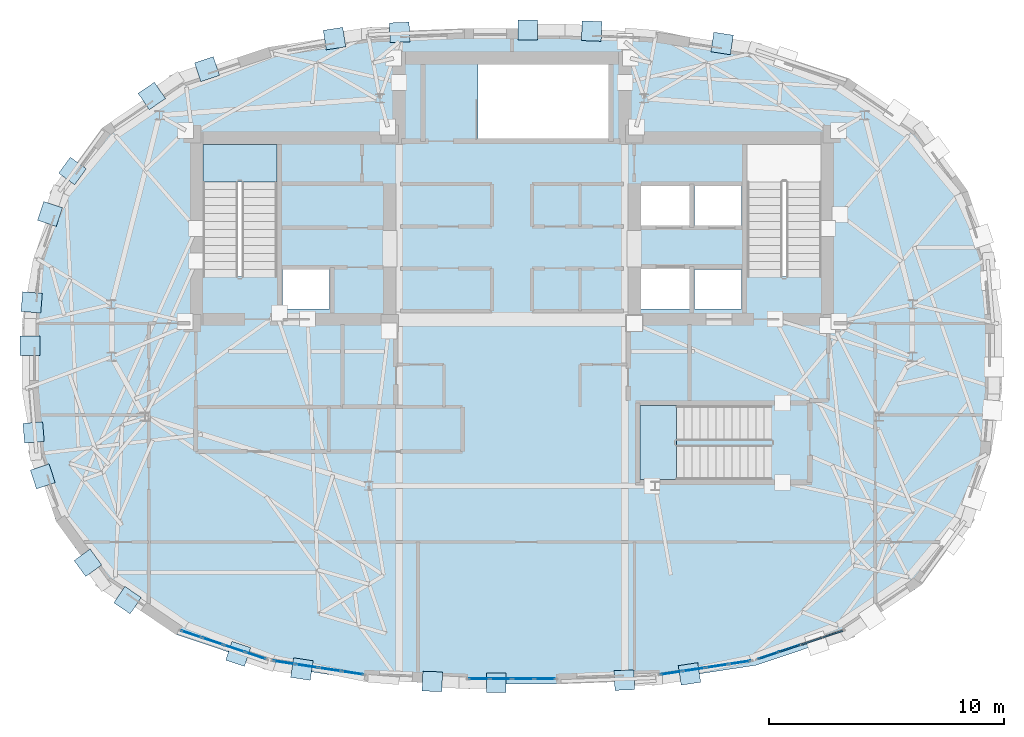
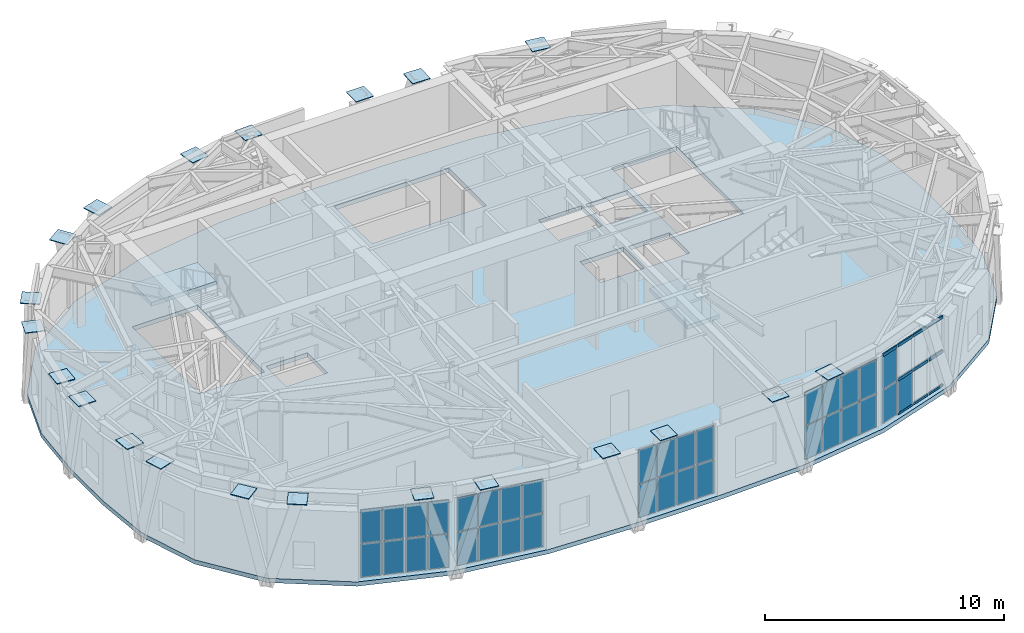
# One storey, part 8 of 16: 56 plates, 10 members, 3 slabs, 7 elements without a shape of their own.
"""IFC4 building model written with IfcOpenShell, lengths in metres."""

from ifc_helpers import new_model, si_unit, direction, frame, origin, origin_2d, place, context, subcontext, project, spatial, polyline, rectangle, outline, extrude, material, layer, layer_set, material_profile, profile_set, type_object, element, aggregate, save


model = new_model("IFC4")

# Units and contexts
model_context = context("Model", 3, precision=1e-05, world=origin(), true_north=direction((0.0, 1.0)))
body_context = subcontext(model_context, "Body", "Model", "MODEL_VIEW")
ifc_project = project(units=[si_unit("LENGTHUNIT", "METRE"), si_unit("AREAUNIT", "SQUARE_METRE"), si_unit("VOLUMEUNIT", "CUBIC_METRE"), si_unit("PLANEANGLEUNIT", "RADIAN"), si_unit("MASSUNIT", "GRAM", prefix="KILO")], contexts=[model_context])

# Site, building, storey
site_placement = place(None, origin())
site = spatial("IfcSite", under=ifc_project, at=site_placement, CompositionType="ELEMENT")
building_placement = place(site_placement, origin())
building = spatial("IfcBuilding", under=site, at=building_placement, Name="Keldmark Tower", CompositionType="ELEMENT")
storey_placement = place(building_placement, frame((0.0, 0.0, 264.800048828125)))
storey = spatial("IfcBuildingStorey", under=building, at=storey_placement, Name="L75", CompositionType="ELEMENT", Elevation=264.800048828125)

# Curtain wall, members
ifc_material_1 = material(Name="Unitized Thermally Broken Aluminum and Triple Low-E Glazing", Category="aluminium")
ifc_layer_1 = layer(ifc_material_1, 0.219970703125)
ifc_layer_set_1 = layer_set([ifc_layer_1], Name="Unitized Thermally Broken Aluminum and Triple Low-E Glazing")
curtain_wall_type = type_object("IfcCurtainWallType", Name="Public Observation Lookout Curtain Wall System", PredefinedType="NOTDEFINED", material=ifc_layer_set_1)
curtain_wall_1_placement = place(storey_placement, origin())
curtain_wall_1 = element("IfcCurtainWall", 1, at=curtain_wall_1_placement, inside=storey, type_object=curtain_wall_type, Name="L75 Public Observation Lookout Curtain Wall System CW-L75-27", PredefinedType="NOTDEFINED")
ifc_material_2 = material(Name="Extruded Aluminum Alloy 6063-T6", Category="aluminium")
ifc_material_profile = material_profile(ifc_material_2, rectangle(XDim=0.06005859375, YDim=0.139892578125, at=origin_2d()), Name="CWT60X140")
ifc_profile_set = profile_set([ifc_material_profile], Name="Extruded Aluminum Alloy 6063-T6")
member_type = type_object("IfcMemberType", Name="Curtain Wall Horizontal Transom 60x140", PredefinedType="USERDEFINED", material=ifc_profile_set)
member_1_placement = place(storey_placement, frame((14.052001953125, -11.6767578125, 0.030029296875), z_axis=(-0.948516906298, -0.316726504206, 0.0), x_axis=(0.316726504206, -0.948516906298, 0.0)))
member_1 = element("IfcMember", 2, at=member_1_placement, type_object=member_type, Name="CW transom 1.1", ObjectType="TRANSOM", PredefinedType="USERDEFINED", context=body_context, shape_type="SweptSolid", body=[
    extrude(rectangle(XDim=0.06005859375, YDim=0.139892578125, at=origin_2d()), origin(), (0.0, 0.0, 1.0), 0.881103515625),
])
member_2_placement = place(storey_placement, frame((14.052001953125, -11.6767578125, 1.782958984375), z_axis=(-0.948516906298, -0.316726504206, 0.0), x_axis=(0.316726504206, -0.948516906298, 0.0)))
member_2 = element("IfcMember", 3, at=member_2_placement, type_object=member_type, Name="CW transom 1.2", ObjectType="TRANSOM", PredefinedType="USERDEFINED", context=body_context, shape_type="SweptSolid", body=[
    extrude(rectangle(XDim=0.06005859375, YDim=0.139892578125, at=origin_2d()), origin(), (0.0, 0.0, 1.0), 0.881103515625),
])
member_3_placement = place(storey_placement, frame((14.052001953125, -11.6767578125, 3.535888671875), z_axis=(-0.948516906298, -0.316726504206, 0.0), x_axis=(0.316726504206, -0.948516906298, 0.0)))
member_3 = element("IfcMember", 4, at=member_3_placement, type_object=member_type, Name="CW transom 1.3", ObjectType="TRANSOM", PredefinedType="USERDEFINED", context=body_context, shape_type="SweptSolid", body=[
    extrude(rectangle(XDim=0.06005859375, YDim=0.139892578125, at=origin_2d()), origin(), (0.0, 0.0, 1.0), 0.881103515625),
])
member_4_placement = place(storey_placement, frame((13.159423828125, -11.974853515625, 0.030029296875), z_axis=(-0.948522408943, -0.316710024681, 0.0), x_axis=(0.316710024681, -0.948522408943, 0.0)))
member_4 = element("IfcMember", 5, at=member_4_placement, type_object=member_type, Name="CW transom 2.1", ObjectType="TRANSOM", PredefinedType="USERDEFINED", context=body_context, shape_type="SweptSolid", body=[
    extrude(rectangle(XDim=0.06005859375, YDim=0.139892578125, at=origin_2d()), origin(), (0.0, 0.0, 1.0), 0.9111328125),
])
member_5_placement = place(storey_placement, frame((13.159423828125, -11.974853515625, 1.782958984375), z_axis=(-0.948522408943, -0.316710024681, 0.0), x_axis=(0.316710024681, -0.948522408943, 0.0)))
member_5 = element("IfcMember", 6, at=member_5_placement, type_object=member_type, Name="CW transom 2.2", ObjectType="TRANSOM", PredefinedType="USERDEFINED", context=body_context, shape_type="SweptSolid", body=[
    extrude(rectangle(XDim=0.06005859375, YDim=0.139892578125, at=origin_2d()), origin(), (0.0, 0.0, 1.0), 0.9111328125),
])
member_6_placement = place(storey_placement, frame((13.159423828125, -11.974853515625, 3.535888671875), z_axis=(-0.948522408943, -0.316710024681, 0.0), x_axis=(0.316710024681, -0.948522408943, 0.0)))
member_6 = element("IfcMember", 7, at=member_6_placement, type_object=member_type, Name="CW transom 2.3", ObjectType="TRANSOM", PredefinedType="USERDEFINED", context=body_context, shape_type="SweptSolid", body=[
    extrude(rectangle(XDim=0.06005859375, YDim=0.139892578125, at=origin_2d()), origin(), (0.0, 0.0, 1.0), 0.9111328125),
])
member_7_placement = place(storey_placement, frame((12.23828125, -12.282470703125, 0.030029296875), z_axis=(-0.948522408943, -0.316710024681, 0.0), x_axis=(0.316710024681, -0.948522408943, 0.0)))
member_7 = element("IfcMember", 8, at=member_7_placement, type_object=member_type, Name="CW transom 3.1", ObjectType="TRANSOM", PredefinedType="USERDEFINED", context=body_context, shape_type="SweptSolid", body=[
    extrude(rectangle(XDim=0.06005859375, YDim=0.139892578125, at=origin_2d()), origin(), (0.0, 0.0, 1.0), 0.9111328125),
])
member_8_placement = place(storey_placement, frame((12.23828125, -12.282470703125, 1.782958984375), z_axis=(-0.948522408943, -0.316710024681, 0.0), x_axis=(0.316710024681, -0.948522408943, 0.0)))
member_8 = element("IfcMember", 9, at=member_8_placement, type_object=member_type, Name="CW transom 3.2", ObjectType="TRANSOM", PredefinedType="USERDEFINED", context=body_context, shape_type="SweptSolid", body=[
    extrude(rectangle(XDim=0.06005859375, YDim=0.139892578125, at=origin_2d()), origin(), (0.0, 0.0, 1.0), 0.9111328125),
])
member_9_placement = place(storey_placement, frame((12.23828125, -12.282470703125, 3.535888671875), z_axis=(-0.948522408943, -0.316710024681, 0.0), x_axis=(0.316710024681, -0.948522408943, 0.0)))
member_9 = element("IfcMember", 10, at=member_9_placement, type_object=member_type, Name="CW transom 3.3", ObjectType="TRANSOM", PredefinedType="USERDEFINED", context=body_context, shape_type="SweptSolid", body=[
    extrude(rectangle(XDim=0.06005859375, YDim=0.139892578125, at=origin_2d()), origin(), (0.0, 0.0, 1.0), 0.9111328125),
])
member_10_placement = place(storey_placement, frame((11.317138671875, -12.590087890625, 3.535888671875), z_axis=(-0.948461461966, -0.316892497806, 0.0), x_axis=(0.316892497806, -0.948461461966, 0.0)))
member_10 = element("IfcMember", 11, at=member_10_placement, type_object=member_type, Name="CW transom 4.3", ObjectType="TRANSOM", PredefinedType="USERDEFINED", context=body_context, shape_type="SweptSolid", body=[
    extrude(rectangle(XDim=0.06005859375, YDim=0.139892578125, at=origin_2d()), origin(), (0.0, 0.0, 1.0), 0.88134765625),
])

# Plates
ifc_material_3 = material(Name="Steel ASTM A572 Grade 50", Category="steel")
ifc_layer_2 = layer(ifc_material_3, 0.034912109375)
ifc_layer_set_2 = layer_set([ifc_layer_2], Name="Steel ASTM A572 Grade 50")
plate_type_1 = type_object("IfcPlateType", Name="Diagrid Node Assembly DN06 35 mm", PredefinedType="USERDEFINED", material=ifc_layer_set_2)
for number, where, z_axis, x_axis, name in (
    (12, (8.934326171875, 13.301025390625, 4.0625), (0.0, 0.0, 1.0), (-0.988625510369, 0.150398139113, 0.0), "L75 Diagrid Node Assembly 06"),
    (13, (3.387939453125, 13.828369140625, 4.0625), (0.0, 0.0, 1.0), (-0.999256201254, 0.038562212782, 0.0), "L75 Diagrid Node Assembly 07"),
    (14, (0.669189453125, 13.87939453125, 4.0625), (0.0, 0.0, 1.0), (-1.0, 0.0, 0.0), "L75 Diagrid Node Assembly 08"),
    (15, (-4.779541015625, 13.772705078125, 4.0625), (0.0, 0.0, 1.0), (-0.999256201254, -0.038562212782, 0.0), "L75 Diagrid Node Assembly 09"),
    (16, (-7.546875, 13.50927734375, 4.0625), (0.0, 0.0, 1.0), (-0.988625510369, -0.150398139113, 0.0), "L75 Diagrid Node Assembly 10"),
    (17, (-12.96630859375, 12.208984375, 4.0625), (0.0, 0.0, 1.0), (-0.948489665534, -0.316808071828, 0.0), "L75 Diagrid Node Assembly 11"),
    (18, (-15.31591796875, 11.069091796875, 4.0625), (0.0, 0.0, 1.0), (-0.827668733006, -0.561216953062, 0.0), "L75 Diagrid Node Assembly 12"),
    (19, (-18.689453125, 7.878662109375, 4.0625), (0.0, 0.0, 1.0), (-0.587785252292, -0.809016994375, 0.0), "L75 Diagrid Node Assembly 13"),
    (20, (-19.645263671875, 6.0478515625, 4.0625), (0.0, 0.0, 1.0), (-0.31415815719, -0.94937066116, 0.0), "L75 Diagrid Node Assembly 14"),
    (21, (-20.42529296875, 2.291259765625, 4.0625), (0.0, 0.0, 1.0), (-0.083677843332, -0.99649285925, 0.0), "L75 Diagrid Node Assembly 15"),
    (22, (-20.50146484375, 0.45166015625, 4.0625), (0.0, 0.0, 1.0), (0.0, -1.0, 0.0), "L75 Diagrid Node Assembly 16"),
    (23, (-20.344482421875, -3.23828125, 4.0625), (0.0, 0.0, 1.0), (0.083677843332, -0.99649285925, 0.0), "L75 Diagrid Node Assembly 17"),
    (24, (-19.954345703125, -5.110595703125, 4.0625), (0.0, 0.0, 1.0), (0.31415815719, -0.94937066116, 0.0), "L75 Diagrid Node Assembly 18"),
    (25, (-18.0341796875, -8.78125, 4.0625), (0.0, 0.0, 1.0), (0.587785252292, -0.809016994375, 0.0), "L75 Diagrid Node Assembly 19"),
    (26, (-16.349853515625, -10.37060546875, 4.0625), (0.0, 0.0, 1.0), (0.827668733006, -0.561216953062, 0.0), "L75 Diagrid Node Assembly 20"),
    (27, (-11.639892578125, -12.6552734375, 4.0625), (0.0, 0.0, 1.0), (0.948489665534, -0.316808071828, 0.0), "L75 Diagrid Node Assembly 21"),
    (28, (-8.934326171875, -13.301025390625, 4.0625), (0.0, 0.0, 1.0), (0.988625510369, -0.150398139113, 0.0), "L75 Diagrid Node Assembly 22"),
    (29, (-3.387939453125, -13.828369140625, 4.0625), (0.0, 0.0, 1.0), (0.999256201254, -0.038562212782, 0.0), "L75 Diagrid Node Assembly 23"),
    (30, (-0.669189453125, -13.87939453125, 4.0625), (0.0, 0.0, 1.0), (1.0, 0.0, 0.0), "L75 Diagrid Node Assembly 24"),
    (31, (4.779541015625, -13.772705078125, 4.0625), (0.0, 0.0, 1.0), (0.999256201254, 0.038562212782, 0.0), "L75 Diagrid Node Assembly 25"),
    (32, (7.546875, -13.50927734375, 4.0625), (0.0, 0.0, 1.0), (0.988625510369, 0.150398139113, 0.0), "L75 Diagrid Node Assembly 26"),
):
    element("IfcPlate", number, at=place(storey_placement, frame(where, z_axis=z_axis, x_axis=x_axis)), inside=storey, type_object=plate_type_1, Name=name, ObjectType="GUSSET", PredefinedType="USERDEFINED", context=body_context, shape_type="SweptSolid", body=[
        extrude(rectangle(XDim=0.840087890625, YDim=0.840087890625, at=origin_2d()), origin(), (0.0, 0.0, 1.0), 0.034912109375),
    ])

# Stair, slab
ifc_material_4 = material(Name="Concrete C40/50", Category="concrete")
stair_type = type_object("IfcStairType", Name="Precast Concrete Core Exit Stair", PredefinedType="HALF_TURN_STAIR", material=ifc_material_4)
stair_1_placement = place(storey_placement, origin())
stair_1 = element("IfcStair", 33, at=stair_1_placement, inside=storey, type_object=stair_type, Name="L75 Exit Stair ST1", PredefinedType="HALF_TURN_STAIR")
ifc_material_5 = material(Name="Concrete C40/50", Category="concrete")
ifc_layer_3 = layer(ifc_material_5, 0.199951171875)
ifc_layer_set_3 = layer_set([ifc_layer_3], Name="Concrete C40/50")
slab_type_1 = type_object("IfcSlabType", Name="Reinforced Concrete Stair Landing 200 mm", PredefinedType="LANDING", material=ifc_layer_set_3)
slab_1_placement = place(storey_placement, frame((0.0, 0.0, 2.0)))
slab_1 = element("IfcSlab", 34, at=slab_1_placement, type_object=slab_type_1, Name="ST1 landing 1", PredefinedType="LANDING", context=body_context, shape_type="SweptSolid", body=[
    extrude(outline(polyline([(-10.0, 7.409912109375), (-10.0, 9.0), (-13.14990234375, 9.0), (-13.14990234375, 7.409912109375), (-10.0, 7.409912109375)])), origin(), (0.0, 0.0, 1.0), 0.199951171875),
])
aggregate(stair_1, [slab_1])

stair_2_placement = place(storey_placement, origin())
stair_2 = element("IfcStair", 35, at=stair_2_placement, inside=storey, type_object=stair_type, Name="L75 East Crown Exit Stair ST4", PredefinedType="HALF_TURN_STAIR")
slab_2_placement = place(storey_placement, frame((0.0, 0.0, 2.0)))
slab_2 = element("IfcSlab", 36, at=slab_2_placement, type_object=slab_type_1, Name="ST4 landing 1", PredefinedType="LANDING", context=body_context, shape_type="SweptSolid", body=[
    extrude(outline(polyline([(6.989990234375, -2.10009765625), (5.43994140625, -2.10009765625), (5.43994140625, -5.25), (6.989990234375, -5.25), (6.989990234375, -2.10009765625)])), origin(), (0.0, 0.0, 1.0), 0.199951171875),
])
aggregate(stair_2, [slab_2])

# Slab
ifc_material_6 = material(Name="Concrete C35/45", Category="concrete")
ifc_layer_4 = layer(ifc_material_6, 0.219970703125)
ifc_layer_set_4 = layer_set([ifc_layer_4], Name="Concrete C35/45")
slab_type_2 = type_object("IfcSlabType", Name="Sky Lobby Floor Slab 220 mm", PredefinedType="FLOOR", material=ifc_layer_set_4)
slab_3_placement = place(storey_placement, frame((0.0, 0.0, -0.219970703125)))
element("IfcSlab", 37, at=slab_3_placement, inside=storey, type_object=slab_type_2, Name="L75 Composite Structural Floor Slab", PredefinedType="FLOOR", context=body_context, shape_type="SweptSolid", body=[
    extrude(outline(polyline([(20.561279296875, 1.372802734375), (20.325439453125, 4.179931640625), (19.384521484375, 7.024169921875), (17.438720703125, 9.7021484375), (14.3115234375, 11.822021484375), (10.361083984375, 13.141357421875), (6.165771484375, 13.779296875), (2.025146484375, 13.93896484375), (-2.025146484375, 13.93896484375), (-6.165771484375, 13.779296875), (-10.361083984375, 13.141357421875), (-14.3115234375, 11.822021484375), (-17.438720703125, 9.7021484375), (-19.384521484375, 7.024169921875), (-20.325439453125, 4.179931640625), (-20.561279296875, 1.372802734375), (-20.561279296875, -1.372802734375), (-20.325439453125, -4.179931640625), (-19.384521484375, -7.024169921875), (-17.438720703125, -9.7021484375), (-14.3115234375, -11.822021484375), (-10.361083984375, -13.141357421875), (-6.165771484375, -13.779296875), (-2.025146484375, -13.93896484375), (2.025146484375, -13.93896484375), (6.165771484375, -13.779296875), (10.361083984375, -13.141357421875), (14.3115234375, -11.822021484375), (17.438720703125, -9.7021484375), (19.384521484375, -7.024169921875), (20.325439453125, -4.179931640625), (20.561279296875, -1.372802734375), (20.561279296875, 1.372802734375)]), holes=[polyline([(-10.0, 3.385009765625), (-10.0, 9.0), (-13.14990234375, 9.0), (-13.14990234375, 3.385009765625), (-10.0, 3.385009765625)]), polyline([(13.14990234375, 3.385009765625), (13.14990234375, 9.0), (10.0, 9.0), (10.0, 3.385009765625), (13.14990234375, 3.385009765625)]), polyline([(-1.43994140625, 9.25), (4.10498046875, 9.25), (4.10498046875, 12.39990234375), (-1.43994140625, 12.39990234375), (-1.43994140625, 9.25)]), polyline([(-9.75, 2.0), (-7.75, 2.0), (-7.75, 3.699951171875), (-9.75, 3.699951171875), (-9.75, 2.0)]), polyline([(7.75, 2.0), (9.75, 2.0), (9.75, 3.699951171875), (7.75, 3.699951171875), (7.75, 2.0)]), polyline([(5.449951171875, 2.0), (7.550048828125, 2.0), (7.550048828125, 3.75), (5.449951171875, 3.75), (5.449951171875, 2.0)]), polyline([(5.449951171875, 5.550048828125), (7.550048828125, 5.550048828125), (7.550048828125, 7.25), (5.449951171875, 7.25), (5.449951171875, 5.550048828125)]), polyline([(7.75, 5.550048828125), (9.75, 5.550048828125), (9.75, 7.25), (7.75, 7.25), (7.75, 5.550048828125)])]), origin(), (0.0, 0.0, 1.0), 0.219970703125),
])

# Curtain wall, plates
curtain_wall_2_placement = place(storey_placement, origin())
curtain_wall_2 = element("IfcCurtainWall", 38, at=curtain_wall_2_placement, inside=storey, type_object=curtain_wall_type, Name="L75 Public Observation Lookout Curtain Wall System CW-L75-21", PredefinedType="NOTDEFINED")
ifc_material_7 = material(Name="Triple Silver Low-E Insulated Glass Unit", Category="glass")
ifc_layer_5 = layer(ifc_material_7, 0.035888671875)
ifc_layer_set_5 = layer_set([ifc_layer_5], Name="Triple Silver Low-E Insulated Glass Unit")
plate_type_2 = type_object("IfcPlateType", Name="Triple Low-E Vision Glazing Panel 36 mm", PredefinedType="CURTAIN_PANEL", material=ifc_layer_set_5)
plate_1_placement = place(storey_placement, frame((-10.899169921875, -12.729736328125, 0.06005859375), z_axis=(0.0, 0.0, 1.0), x_axis=(-0.948500374314, 0.316776009076, 0.0)))
plate_1 = element("IfcPlate", 39, at=plate_1_placement, type_object=plate_type_2, Name="CW panel 1.1", PredefinedType="CURTAIN_PANEL", context=body_context, shape_type="SweptSolid", body=[
    extrude(rectangle(XDim=0.881103515625, YDim=0.035888671875, at=origin_2d()), origin(), (0.0, 0.0, 1.0), 1.693115234375),
])
plate_2_placement = place(storey_placement, frame((-10.899169921875, -12.729736328125, 1.81298828125), z_axis=(0.0, 0.0, 1.0), x_axis=(-0.948500374314, 0.316776009076, 0.0)))
plate_2 = element("IfcPlate", 40, at=plate_2_placement, type_object=plate_type_2, Name="CW panel 1.2", PredefinedType="CURTAIN_PANEL", context=body_context, shape_type="SweptSolid", body=[
    extrude(rectangle(XDim=0.881103515625, YDim=0.035888671875, at=origin_2d()), origin(), (0.0, 0.0, 1.0), 1.693115234375),
])
plate_3_placement = place(storey_placement, frame((-11.80615234375, -12.4267578125, 0.06005859375), z_axis=(0.0, 0.0, 1.0), x_axis=(-0.948500374314, 0.316776009076, 0.0)))
plate_3 = element("IfcPlate", 41, at=plate_3_placement, type_object=plate_type_2, Name="CW panel 2.1", PredefinedType="CURTAIN_PANEL", context=body_context, shape_type="SweptSolid", body=[
    extrude(rectangle(XDim=0.9111328125, YDim=0.035888671875, at=origin_2d()), origin(), (0.0, 0.0, 1.0), 1.693115234375),
])
plate_4_placement = place(storey_placement, frame((-11.80615234375, -12.4267578125, 1.81298828125), z_axis=(0.0, 0.0, 1.0), x_axis=(-0.948500374314, 0.316776009076, 0.0)))
plate_4 = element("IfcPlate", 42, at=plate_4_placement, type_object=plate_type_2, Name="CW panel 2.2", PredefinedType="CURTAIN_PANEL", context=body_context, shape_type="SweptSolid", body=[
    extrude(rectangle(XDim=0.9111328125, YDim=0.035888671875, at=origin_2d()), origin(), (0.0, 0.0, 1.0), 1.693115234375),
])
plate_5_placement = place(storey_placement, frame((-12.727294921875, -12.119140625, 0.06005859375), z_axis=(0.0, 0.0, 1.0), x_axis=(-0.948500374314, 0.316776009076, 0.0)))
plate_5 = element("IfcPlate", 43, at=plate_5_placement, type_object=plate_type_2, Name="CW panel 3.1", PredefinedType="CURTAIN_PANEL", context=body_context, shape_type="SweptSolid", body=[
    extrude(rectangle(XDim=0.9111328125, YDim=0.035888671875, at=origin_2d()), origin(), (0.0, 0.0, 1.0), 1.693115234375),
])
plate_6_placement = place(storey_placement, frame((-12.727294921875, -12.119140625, 1.81298828125), z_axis=(0.0, 0.0, 1.0), x_axis=(-0.948500374314, 0.316776009076, 0.0)))
plate_6 = element("IfcPlate", 44, at=plate_6_placement, type_object=plate_type_2, Name="CW panel 3.2", PredefinedType="CURTAIN_PANEL", context=body_context, shape_type="SweptSolid", body=[
    extrude(rectangle(XDim=0.9111328125, YDim=0.035888671875, at=origin_2d()), origin(), (0.0, 0.0, 1.0), 1.693115234375),
])
plate_7_placement = place(storey_placement, frame((-13.63427734375, -11.816162109375, 0.06005859375), z_axis=(0.0, 0.0, 1.0), x_axis=(-0.948500374314, 0.316776009076, 0.0)))
plate_7 = element("IfcPlate", 45, at=plate_7_placement, type_object=plate_type_2, Name="CW panel 4.1", PredefinedType="CURTAIN_PANEL", context=body_context, shape_type="SweptSolid", body=[
    extrude(rectangle(XDim=0.881103515625, YDim=0.035888671875, at=origin_2d()), origin(), (0.0, 0.0, 1.0), 1.693115234375),
])
plate_8_placement = place(storey_placement, frame((-13.63427734375, -11.816162109375, 1.81298828125), z_axis=(0.0, 0.0, 1.0), x_axis=(-0.948500374314, 0.316776009076, 0.0)))
plate_8 = element("IfcPlate", 46, at=plate_8_placement, type_object=plate_type_2, Name="CW panel 4.2", PredefinedType="CURTAIN_PANEL", context=body_context, shape_type="SweptSolid", body=[
    extrude(rectangle(XDim=0.881103515625, YDim=0.035888671875, at=origin_2d()), origin(), (0.0, 0.0, 1.0), 1.693115234375),
])
aggregate(curtain_wall_2, [plate_1, plate_2, plate_3, plate_4, plate_5, plate_6, plate_7, plate_8])

curtain_wall_3_placement = place(storey_placement, origin())
curtain_wall_3 = element("IfcCurtainWall", 47, at=curtain_wall_3_placement, inside=storey, type_object=curtain_wall_type, Name="L75 Public Observation Lookout Curtain Wall System CW-L75-22", PredefinedType="NOTDEFINED")
plate_9_placement = place(storey_placement, frame((-6.775634765625, -13.4638671875, 0.06005859375), z_axis=(0.0, 0.0, 1.0), x_axis=(-0.988634738092, 0.150337469177, 0.0)))
plate_9 = element("IfcPlate", 48, at=plate_9_placement, type_object=plate_type_2, Name="CW panel 1.1", PredefinedType="CURTAIN_PANEL", context=body_context, shape_type="SweptSolid", body=[
    extrude(rectangle(XDim=0.90087890625, YDim=0.035888671875, at=origin_2d()), origin(), (0.0, 0.0, 1.0), 1.693115234375),
])
plate_10_placement = place(storey_placement, frame((-6.775634765625, -13.4638671875, 1.81298828125), z_axis=(0.0, 0.0, 1.0), x_axis=(-0.988634738092, 0.150337469177, 0.0)))
plate_10 = element("IfcPlate", 49, at=plate_10_placement, type_object=plate_type_2, Name="CW panel 1.2", PredefinedType="CURTAIN_PANEL", context=body_context, shape_type="SweptSolid", body=[
    extrude(rectangle(XDim=0.90087890625, YDim=0.035888671875, at=origin_2d()), origin(), (0.0, 0.0, 1.0), 1.693115234375),
])
plate_11_placement = place(storey_placement, frame((-7.740478515625, -13.317138671875, 0.06005859375), z_axis=(0.0, 0.0, 1.0), x_axis=(-0.988634738092, 0.150337469177, 0.0)))
plate_11 = element("IfcPlate", 50, at=plate_11_placement, type_object=plate_type_2, Name="CW panel 2.1", PredefinedType="CURTAIN_PANEL", context=body_context, shape_type="SweptSolid", body=[
    extrude(rectangle(XDim=0.930908203125, YDim=0.035888671875, at=origin_2d()), origin(), (0.0, 0.0, 1.0), 1.693115234375),
])
plate_12_placement = place(storey_placement, frame((-7.740478515625, -13.317138671875, 1.81298828125), z_axis=(0.0, 0.0, 1.0), x_axis=(-0.988634738092, 0.150337469177, 0.0)))
plate_12 = element("IfcPlate", 51, at=plate_12_placement, type_object=plate_type_2, Name="CW panel 2.2", PredefinedType="CURTAIN_PANEL", context=body_context, shape_type="SweptSolid", body=[
    extrude(rectangle(XDim=0.930908203125, YDim=0.035888671875, at=origin_2d()), origin(), (0.0, 0.0, 1.0), 1.693115234375),
])
plate_13_placement = place(storey_placement, frame((-8.72021484375, -13.168212890625, 0.06005859375), z_axis=(0.0, 0.0, 1.0), x_axis=(-0.988634738092, 0.150337469177, 0.0)))
plate_13 = element("IfcPlate", 52, at=plate_13_placement, type_object=plate_type_2, Name="CW panel 3.1", PredefinedType="CURTAIN_PANEL", context=body_context, shape_type="SweptSolid", body=[
    extrude(rectangle(XDim=0.930908203125, YDim=0.035888671875, at=origin_2d()), origin(), (0.0, 0.0, 1.0), 1.693115234375),
])
plate_14_placement = place(storey_placement, frame((-8.72021484375, -13.168212890625, 1.81298828125), z_axis=(0.0, 0.0, 1.0), x_axis=(-0.988634738092, 0.150337469177, 0.0)))
plate_14 = element("IfcPlate", 53, at=plate_14_placement, type_object=plate_type_2, Name="CW panel 3.2", PredefinedType="CURTAIN_PANEL", context=body_context, shape_type="SweptSolid", body=[
    extrude(rectangle(XDim=0.930908203125, YDim=0.035888671875, at=origin_2d()), origin(), (0.0, 0.0, 1.0), 1.693115234375),
])
plate_15_placement = place(storey_placement, frame((-9.68505859375, -13.021484375, 0.06005859375), z_axis=(0.0, 0.0, 1.0), x_axis=(-0.988634738092, 0.150337469177, 0.0)))
plate_15 = element("IfcPlate", 54, at=plate_15_placement, type_object=plate_type_2, Name="CW panel 4.1", PredefinedType="CURTAIN_PANEL", context=body_context, shape_type="SweptSolid", body=[
    extrude(rectangle(XDim=0.90087890625, YDim=0.035888671875, at=origin_2d()), origin(), (0.0, 0.0, 1.0), 1.693115234375),
])
plate_16_placement = place(storey_placement, frame((-9.68505859375, -13.021484375, 1.81298828125), z_axis=(0.0, 0.0, 1.0), x_axis=(-0.988634738092, 0.150337469177, 0.0)))
plate_16 = element("IfcPlate", 55, at=plate_16_placement, type_object=plate_type_2, Name="CW panel 4.2", PredefinedType="CURTAIN_PANEL", context=body_context, shape_type="SweptSolid", body=[
    extrude(rectangle(XDim=0.90087890625, YDim=0.035888671875, at=origin_2d()), origin(), (0.0, 0.0, 1.0), 1.693115234375),
])
aggregate(curtain_wall_3, [plate_9, plate_10, plate_11, plate_12, plate_13, plate_14, plate_15, plate_16])

curtain_wall_4_placement = place(storey_placement, origin())
curtain_wall_4 = element("IfcCurtainWall", 56, at=curtain_wall_4_placement, inside=storey, type_object=curtain_wall_type, Name="L75 Public Observation Lookout Curtain Wall System CW-L75-24", PredefinedType="NOTDEFINED")
plate_17_placement = place(storey_placement, frame((1.39892578125, -13.718994140625, 0.06005859375), z_axis=(0.0, 0.0, 1.0), x_axis=(-1.0, 0.0, 0.0)))
plate_17 = element("IfcPlate", 57, at=plate_17_placement, type_object=plate_type_2, Name="CW panel 1.1", PredefinedType="CURTAIN_PANEL", context=body_context, shape_type="SweptSolid", body=[
    extrude(rectangle(XDim=0.8525390625, YDim=0.035888671875, at=origin_2d()), origin(), (0.0, 0.0, 1.0), 1.693115234375),
])
plate_18_placement = place(storey_placement, frame((1.39892578125, -13.718994140625, 1.81298828125), z_axis=(0.0, 0.0, 1.0), x_axis=(-1.0, 0.0, 0.0)))
plate_18 = element("IfcPlate", 58, at=plate_18_placement, type_object=plate_type_2, Name="CW panel 1.2", PredefinedType="CURTAIN_PANEL", context=body_context, shape_type="SweptSolid", body=[
    extrude(rectangle(XDim=0.8525390625, YDim=0.035888671875, at=origin_2d()), origin(), (0.0, 0.0, 1.0), 1.693115234375),
])
plate_19_placement = place(storey_placement, frame((0.47119140625, -13.718994140625, 0.06005859375), z_axis=(0.0, 0.0, 1.0), x_axis=(-1.0, 0.0, 0.0)))
plate_19 = element("IfcPlate", 59, at=plate_19_placement, type_object=plate_type_2, Name="CW panel 2.1", PredefinedType="CURTAIN_PANEL", context=body_context, shape_type="SweptSolid", body=[
    extrude(rectangle(XDim=0.882568359375, YDim=0.035888671875, at=origin_2d()), origin(), (0.0, 0.0, 1.0), 1.693115234375),
])
plate_20_placement = place(storey_placement, frame((0.47119140625, -13.718994140625, 1.81298828125), z_axis=(0.0, 0.0, 1.0), x_axis=(-1.0, 0.0, 0.0)))
plate_20 = element("IfcPlate", 60, at=plate_20_placement, type_object=plate_type_2, Name="CW panel 2.2", PredefinedType="CURTAIN_PANEL", context=body_context, shape_type="SweptSolid", body=[
    extrude(rectangle(XDim=0.882568359375, YDim=0.035888671875, at=origin_2d()), origin(), (0.0, 0.0, 1.0), 1.693115234375),
])
plate_21_placement = place(storey_placement, frame((-0.47119140625, -13.718994140625, 0.06005859375), z_axis=(0.0, 0.0, 1.0), x_axis=(-1.0, 0.0, 0.0)))
plate_21 = element("IfcPlate", 61, at=plate_21_placement, type_object=plate_type_2, Name="CW panel 3.1", PredefinedType="CURTAIN_PANEL", context=body_context, shape_type="SweptSolid", body=[
    extrude(rectangle(XDim=0.882568359375, YDim=0.035888671875, at=origin_2d()), origin(), (0.0, 0.0, 1.0), 1.693115234375),
])
plate_22_placement = place(storey_placement, frame((-0.47119140625, -13.718994140625, 1.81298828125), z_axis=(0.0, 0.0, 1.0), x_axis=(-1.0, 0.0, 0.0)))
plate_22 = element("IfcPlate", 62, at=plate_22_placement, type_object=plate_type_2, Name="CW panel 3.2", PredefinedType="CURTAIN_PANEL", context=body_context, shape_type="SweptSolid", body=[
    extrude(rectangle(XDim=0.882568359375, YDim=0.035888671875, at=origin_2d()), origin(), (0.0, 0.0, 1.0), 1.693115234375),
])
plate_23_placement = place(storey_placement, frame((-1.39892578125, -13.718994140625, 0.06005859375), z_axis=(0.0, 0.0, 1.0), x_axis=(-1.0, 0.0, 0.0)))
plate_23 = element("IfcPlate", 63, at=plate_23_placement, type_object=plate_type_2, Name="CW panel 4.1", PredefinedType="CURTAIN_PANEL", context=body_context, shape_type="SweptSolid", body=[
    extrude(rectangle(XDim=0.8525390625, YDim=0.035888671875, at=origin_2d()), origin(), (0.0, 0.0, 1.0), 1.693115234375),
])
plate_24_placement = place(storey_placement, frame((-1.39892578125, -13.718994140625, 1.81298828125), z_axis=(0.0, 0.0, 1.0), x_axis=(-1.0, 0.0, 0.0)))
plate_24 = element("IfcPlate", 64, at=plate_24_placement, type_object=plate_type_2, Name="CW panel 4.2", PredefinedType="CURTAIN_PANEL", context=body_context, shape_type="SweptSolid", body=[
    extrude(rectangle(XDim=0.8525390625, YDim=0.035888671875, at=origin_2d()), origin(), (0.0, 0.0, 1.0), 1.693115234375),
])
aggregate(curtain_wall_4, [plate_17, plate_18, plate_19, plate_20, plate_21, plate_22, plate_23, plate_24])

curtain_wall_5_placement = place(storey_placement, origin())
curtain_wall_5 = element("IfcCurtainWall", 65, at=curtain_wall_5_placement, inside=storey, type_object=curtain_wall_type, Name="L75 Public Observation Lookout Curtain Wall System CW-L75-26", PredefinedType="NOTDEFINED")
plate_25_placement = place(storey_placement, frame((9.68505859375, -13.021484375, 0.06005859375), z_axis=(0.0, 0.0, 1.0), x_axis=(-0.988634738092, -0.150337469177, 0.0)))
plate_25 = element("IfcPlate", 66, at=plate_25_placement, type_object=plate_type_2, Name="CW panel 1.1", PredefinedType="CURTAIN_PANEL", context=body_context, shape_type="SweptSolid", body=[
    extrude(rectangle(XDim=0.90087890625, YDim=0.035888671875, at=origin_2d()), origin(), (0.0, 0.0, 1.0), 1.693115234375),
])
plate_26_placement = place(storey_placement, frame((9.68505859375, -13.021484375, 1.81298828125), z_axis=(0.0, 0.0, 1.0), x_axis=(-0.988634738092, -0.150337469177, 0.0)))
plate_26 = element("IfcPlate", 67, at=plate_26_placement, type_object=plate_type_2, Name="CW panel 1.2", PredefinedType="CURTAIN_PANEL", context=body_context, shape_type="SweptSolid", body=[
    extrude(rectangle(XDim=0.90087890625, YDim=0.035888671875, at=origin_2d()), origin(), (0.0, 0.0, 1.0), 1.693115234375),
])
plate_27_placement = place(storey_placement, frame((8.72021484375, -13.168212890625, 0.06005859375), z_axis=(0.0, 0.0, 1.0), x_axis=(-0.988634738092, -0.150337469177, 0.0)))
plate_27 = element("IfcPlate", 68, at=plate_27_placement, type_object=plate_type_2, Name="CW panel 2.1", PredefinedType="CURTAIN_PANEL", context=body_context, shape_type="SweptSolid", body=[
    extrude(rectangle(XDim=0.930908203125, YDim=0.035888671875, at=origin_2d()), origin(), (0.0, 0.0, 1.0), 1.693115234375),
])
plate_28_placement = place(storey_placement, frame((8.72021484375, -13.168212890625, 1.81298828125), z_axis=(0.0, 0.0, 1.0), x_axis=(-0.988634738092, -0.150337469177, 0.0)))
plate_28 = element("IfcPlate", 69, at=plate_28_placement, type_object=plate_type_2, Name="CW panel 2.2", PredefinedType="CURTAIN_PANEL", context=body_context, shape_type="SweptSolid", body=[
    extrude(rectangle(XDim=0.930908203125, YDim=0.035888671875, at=origin_2d()), origin(), (0.0, 0.0, 1.0), 1.693115234375),
])
plate_29_placement = place(storey_placement, frame((7.740478515625, -13.317138671875, 0.06005859375), z_axis=(0.0, 0.0, 1.0), x_axis=(-0.988634738092, -0.150337469177, 0.0)))
plate_29 = element("IfcPlate", 70, at=plate_29_placement, type_object=plate_type_2, Name="CW panel 3.1", PredefinedType="CURTAIN_PANEL", context=body_context, shape_type="SweptSolid", body=[
    extrude(rectangle(XDim=0.930908203125, YDim=0.035888671875, at=origin_2d()), origin(), (0.0, 0.0, 1.0), 1.693115234375),
])
plate_30_placement = place(storey_placement, frame((7.740478515625, -13.317138671875, 1.81298828125), z_axis=(0.0, 0.0, 1.0), x_axis=(-0.988634738092, -0.150337469177, 0.0)))
plate_30 = element("IfcPlate", 71, at=plate_30_placement, type_object=plate_type_2, Name="CW panel 3.2", PredefinedType="CURTAIN_PANEL", context=body_context, shape_type="SweptSolid", body=[
    extrude(rectangle(XDim=0.930908203125, YDim=0.035888671875, at=origin_2d()), origin(), (0.0, 0.0, 1.0), 1.693115234375),
])
plate_31_placement = place(storey_placement, frame((6.775634765625, -13.4638671875, 0.06005859375), z_axis=(0.0, 0.0, 1.0), x_axis=(-0.988634738092, -0.150337469177, 0.0)))
plate_31 = element("IfcPlate", 72, at=plate_31_placement, type_object=plate_type_2, Name="CW panel 4.1", PredefinedType="CURTAIN_PANEL", context=body_context, shape_type="SweptSolid", body=[
    extrude(rectangle(XDim=0.90087890625, YDim=0.035888671875, at=origin_2d()), origin(), (0.0, 0.0, 1.0), 1.693115234375),
])
plate_32_placement = place(storey_placement, frame((6.775634765625, -13.4638671875, 1.81298828125), z_axis=(0.0, 0.0, 1.0), x_axis=(-0.988634738092, -0.150337469177, 0.0)))
plate_32 = element("IfcPlate", 73, at=plate_32_placement, type_object=plate_type_2, Name="CW panel 4.2", PredefinedType="CURTAIN_PANEL", context=body_context, shape_type="SweptSolid", body=[
    extrude(rectangle(XDim=0.90087890625, YDim=0.035888671875, at=origin_2d()), origin(), (0.0, 0.0, 1.0), 1.693115234375),
])
aggregate(curtain_wall_5, [plate_25, plate_26, plate_27, plate_28, plate_29, plate_30, plate_31, plate_32])

# Plate
plate_33_placement = place(storey_placement, frame((11.80615234375, -12.4267578125, 0.06005859375), z_axis=(0.0, 0.0, 1.0), x_axis=(-0.948500374314, -0.316776009076, 0.0)))
plate_33 = element("IfcPlate", 74, at=plate_33_placement, type_object=plate_type_2, Name="CW panel 3.1", PredefinedType="CURTAIN_PANEL", context=body_context, shape_type="SweptSolid", body=[
    extrude(rectangle(XDim=0.9111328125, YDim=0.035888671875, at=origin_2d()), origin(), (0.0, 0.0, 1.0), 1.693115234375),
])

plate_34_placement = place(storey_placement, frame((10.899169921875, -12.729736328125, 0.06005859375), z_axis=(0.0, 0.0, 1.0), x_axis=(-0.948500374314, -0.316776009076, 0.0)))
plate_34 = element("IfcPlate", 75, at=plate_34_placement, type_object=plate_type_2, Name="CW panel 4.1", PredefinedType="CURTAIN_PANEL", context=body_context, shape_type="SweptSolid", body=[
    extrude(rectangle(XDim=0.881103515625, YDim=0.035888671875, at=origin_2d()), origin(), (0.0, 0.0, 1.0), 1.693115234375),
])

plate_35_placement = place(storey_placement, frame((10.899169921875, -12.729736328125, 1.81298828125), z_axis=(0.0, 0.0, 1.0), x_axis=(-0.948500374314, -0.316776009076, 0.0)))
plate_35 = element("IfcPlate", 76, at=plate_35_placement, type_object=plate_type_2, Name="CW panel 4.2", PredefinedType="CURTAIN_PANEL", context=body_context, shape_type="SweptSolid", body=[
    extrude(rectangle(XDim=0.881103515625, YDim=0.035888671875, at=origin_2d()), origin(), (0.0, 0.0, 1.0), 1.693115234375),
])

aggregate(curtain_wall_1, [member_1, member_2, member_3, member_4, member_5, member_6, member_7, member_8, member_9, plate_33, member_10, plate_34, plate_35])

save(model, "model.ifc")
